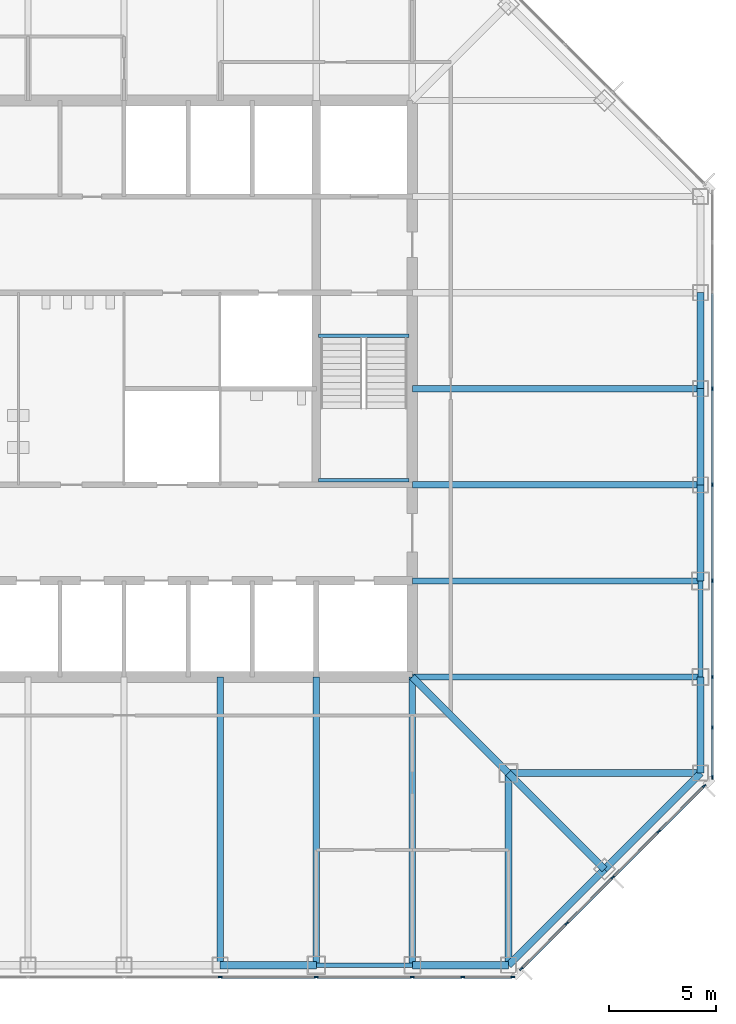
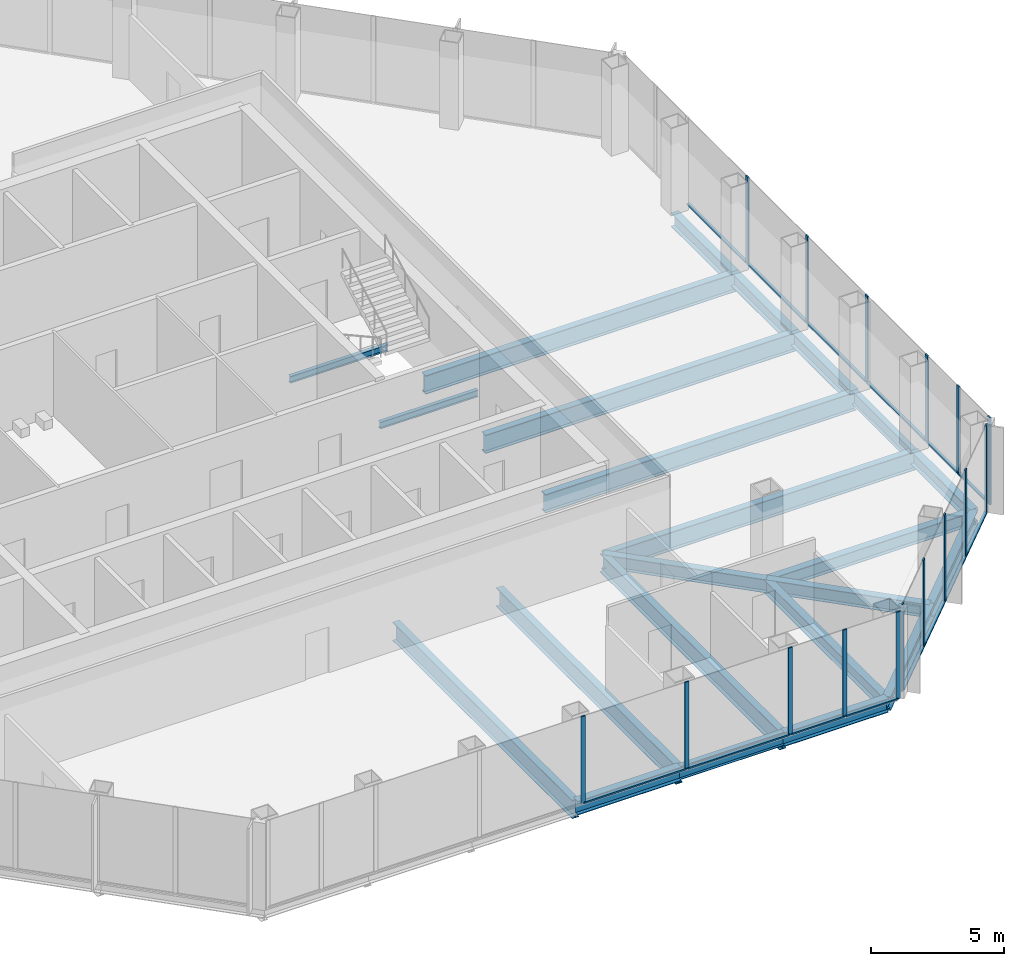
# One storey, part 4 of 12: 30 members, 23 beams, 3 elements without a shape of their own.
"""IFC4 building model written with IfcOpenShell, lengths in metres."""

from ifc_helpers import new_model, si_unit, direction, frame, origin, origin_2d, place, context, subcontext, project, spatial, rectangle, i_section, extrude, material, material_profile, profile_set, type_object, element, aggregate, save


model = new_model("IFC4")

# Units and contexts
model_context = context("Model", 3, precision=1e-05, world=origin(), true_north=direction((0.0, 1.0)))
body_context = subcontext(model_context, "Body", "Model", "MODEL_VIEW")
ifc_project = project(units=[si_unit("LENGTHUNIT", "METRE"), si_unit("AREAUNIT", "SQUARE_METRE"), si_unit("VOLUMEUNIT", "CUBIC_METRE"), si_unit("PLANEANGLEUNIT", "RADIAN"), si_unit("MASSUNIT", "GRAM", prefix="KILO")], contexts=[model_context])

# Site, building, storey
site_placement = place(None, origin())
site = spatial("IfcSite", under=ifc_project, at=site_placement, CompositionType="ELEMENT")
building_placement = place(site_placement, origin())
building = spatial("IfcBuilding", under=site, at=building_placement, Name="Corais Broadcast Tower", CompositionType="ELEMENT")
storey_placement = place(building_placement, frame((0.0, 0.0, 131.60009765625)))
storey = spatial("IfcBuildingStorey", under=building, at=storey_placement, Name="L29", CompositionType="ELEMENT", Elevation=131.60009765625)

# Beams
ifc_material_1 = material(Name="Steel ASTM A572 Grade 50", Category="steel")
ifc_material_profile_1 = material_profile(ifc_material_1, i_section(OverallWidth=0.323974609375, OverallDepth=0.611083984375, WebThickness=0.0126953125, FlangeThickness=0.01904296875, at=origin_2d()), Name="W610x155")
ifc_profile_set_1 = profile_set([ifc_material_profile_1], Name="Steel ASTM A572 Grade 50")
beam_type_1 = type_object("IfcBeamType", Name="Chamfer tie W610x155", PredefinedType="BEAM", material=ifc_profile_set_1)
beam_1_placement = place(storey_placement, frame((49.5, 4.5, -0.465576171875), z_axis=(-0.707106781187, 0.707106781187, 0.0), x_axis=(-0.707106781187, -0.707106781187, 0.0)))
element("IfcBeam", 1, at=beam_1_placement, inside=storey, type_object=beam_type_1, Name="B5 B/14 to C/13", PredefinedType="BEAM", context=body_context, shape_type="SweptSolid", body=[
    extrude(i_section(OverallWidth=0.323974609375, OverallDepth=0.611083984375, WebThickness=0.0126953125, FlangeThickness=0.01904296875, at=origin_2d()), origin(), (0.0, 0.0, 1.0), 6.364013671875),
])
ifc_material_2 = material(Name="Steel ASTM A572 Grade 50", Category="steel")
ifc_material_profile_2 = material_profile(ifc_material_2, i_section(OverallWidth=0.323974609375, OverallDepth=0.611083984375, WebThickness=0.0126953125, FlangeThickness=0.01904296875, at=origin_2d()), Name="W610x155")
ifc_profile_set_2 = profile_set([ifc_material_profile_2], Name="Steel ASTM A572 Grade 50")
beam_type_2 = type_object("IfcBeamType", Name="Corner diagonal W610x155", PredefinedType="BEAM", material=ifc_profile_set_2)
beam_2_placement = place(storey_placement, frame((45.0, 9.0, -0.465576171875), z_axis=(-0.707106781187, 0.707106781187, 0.0), x_axis=(-0.707106781187, -0.707106781187, 0.0)))
element("IfcBeam", 2, at=beam_2_placement, inside=storey, type_object=beam_type_2, Name="B6 C/13 to D/12", PredefinedType="BEAM", context=body_context, shape_type="SweptSolid", body=[
    extrude(i_section(OverallWidth=0.323974609375, OverallDepth=0.611083984375, WebThickness=0.0126953125, FlangeThickness=0.01904296875, at=origin_2d()), origin(), (0.0, 0.0, 1.0), 6.364013671875),
])
ifc_material_3 = material(Name="Steel ASTM A572 Grade 50", Category="steel")
ifc_material_profile_3 = material_profile(ifc_material_3, i_section(OverallWidth=0.323974609375, OverallDepth=0.611083984375, WebThickness=0.0126953125, FlangeThickness=0.01904296875, at=origin_2d()), Name="W610x155")
ifc_profile_set_3 = profile_set([ifc_material_profile_3], Name="Steel ASTM A572 Grade 50")
beam_type_3 = type_object("IfcBeamType", Name="Corner girder W610x155", PredefinedType="BEAM", material=ifc_profile_set_3)
for number, where, z_axis, x_axis, name in (
    (3, (45.0, 0.0, -0.465576171875), (0.0, 1.0, 0.0), (-1.0, 0.0, 0.0), "B4 A/13 to C/13"),
    (4, (54.0, 9.0, -0.465576171875), (-1.0, 0.0, 0.0), (0.0, -1.0, 0.0), "B4 C/15 to C/13"),
):
    element("IfcBeam", number, at=place(storey_placement, frame(where, z_axis=z_axis, x_axis=x_axis)), inside=storey, type_object=beam_type_3, Name=name, PredefinedType="BEAM", context=body_context, shape_type="SweptSolid", body=[
        extrude(i_section(OverallWidth=0.323974609375, OverallDepth=0.611083984375, WebThickness=0.0126953125, FlangeThickness=0.01904296875, at=origin_2d()), origin(), (0.0, 0.0, 1.0), 9.0),
    ])
ifc_material_4 = material(Name="Steel ASTM A572 Grade 50", Category="steel")
ifc_material_profile_4 = material_profile(ifc_material_4, i_section(OverallWidth=0.2939453125, OverallDepth=0.85107421875, WebThickness=0.01611328125, FlangeThickness=0.02685546875, at=origin_2d()), Name="W840x226")
ifc_profile_set_4 = profile_set([ifc_material_profile_4], Name="Steel ASTM A572 Grade 50")
beam_type_4 = type_object("IfcBeamType", Name="Floor beam W840x226", PredefinedType="BEAM", material=ifc_profile_set_4)
for number, where, z_axis, x_axis, name in (
    (5, (31.5, 0.0, -0.585693359375), (0.0, 1.0, 0.0), (-1.0, 0.0, 0.0), "B1 A/10 to D/10"),
    (6, (36.0, 0.0, -0.585693359375), (0.0, 1.0, 0.0), (-1.0, 0.0, 0.0), "B1 A/11 to D/11"),
    (7, (40.5, 0.0, -0.585693359375), (0.0, 1.0, 0.0), (-1.0, 0.0, 0.0), "B1 A/12 to D/12"),
    (8, (54.0, 13.5, -0.585693359375), (-1.0, 0.0, 0.0), (0.0, -1.0, 0.0), "B1 D/15 to D/12"),
    (9, (54.0, 18.0, -0.585693359375), (-1.0, 0.0, 0.0), (0.0, -1.0, 0.0), "B1 E/15 to E/12"),
    (10, (54.0, 22.5, -0.585693359375), (-1.0, 0.0, 0.0), (0.0, -1.0, 0.0), "B1 F/15 to F/12"),
    (11, (54.0, 27.0, -0.585693359375), (-1.0, 0.0, 0.0), (0.0, -1.0, 0.0), "B1 G/15 to G/12"),
):
    element("IfcBeam", number, at=place(storey_placement, frame(where, z_axis=z_axis, x_axis=x_axis)), inside=storey, type_object=beam_type_4, Name=name, PredefinedType="BEAM", context=body_context, shape_type="SweptSolid", body=[
        extrude(i_section(OverallWidth=0.2939453125, OverallDepth=0.85107421875, WebThickness=0.01611328125, FlangeThickness=0.02685546875, at=origin_2d()), origin(), (0.0, 0.0, 1.0), 13.5),
    ])
ifc_material_5 = material(Name="Steel ASTM A572 Grade 50", Category="steel")
ifc_material_profile_5 = material_profile(ifc_material_5, i_section(OverallWidth=0.1650390625, OverallDepth=0.31005859375, WebThickness=0.005859375, FlangeThickness=0.009765625, at=origin_2d()), Name="W310x38.7")
ifc_profile_set_5 = profile_set([ifc_material_profile_5], Name="Steel ASTM A572 Grade 50")
beam_type_5 = type_object("IfcBeamType", Name="Landing trimmer W310x38.7", PredefinedType="BEAM", material=ifc_profile_set_5)
for number, where, z_axis, x_axis, name in (
    (12, (36.10009765625, 29.47509765625, -0.35498046875), (1.0, 0.0, 0.0), (0.0, 1.0, 0.0), "LT1 stair B landing trimmer L29"),
    (13, (36.10009765625, 22.715087890625, 1.64501953125), (1.0, 0.0, 0.0), (0.0, 1.0, 0.0), "LT1 stair B half landing trimmer L29"),
):
    element("IfcBeam", number, at=place(storey_placement, frame(where, z_axis=z_axis, x_axis=x_axis)), inside=storey, type_object=beam_type_5, Name=name, PredefinedType="BEAM", context=body_context, shape_type="SweptSolid", body=[
        extrude(i_section(OverallWidth=0.1650390625, OverallDepth=0.31005859375, WebThickness=0.005859375, FlangeThickness=0.009765625, at=origin_2d()), origin(), (0.0, 0.0, 1.0), 4.25),
    ])

# Curtain wall, members
ifc_material_6 = material(Name="Aluminium and glass", Category="aluminium")
curtain_wall_type = type_object("IfcCurtainWallType", Name="Unitised fritted curtain wall CW2", PredefinedType="NOTDEFINED", material=ifc_material_6)
curtain_wall_1_placement = place(storey_placement, origin())
curtain_wall_1 = element("IfcCurtainWall", 14, at=curtain_wall_1_placement, inside=storey, type_object=curtain_wall_type, Name="CW2 curtain wall L29 6", PredefinedType="NOTDEFINED")
ifc_material_7 = material(Name="Aluminium 6063-T6", Category="aluminium")
ifc_material_profile_6 = material_profile(ifc_material_7, rectangle(XDim=0.06494140625, YDim=0.179931640625, at=origin_2d()), Name="Mullion CW2 65x180")
ifc_profile_set_6 = profile_set([ifc_material_profile_6], Name="Aluminium 6063-T6")
member_type_1 = type_object("IfcMemberType", Name="Mullion CW2 65x180", PredefinedType="MULLION", material=ifc_profile_set_6)
member_1_placement = place(storey_placement, frame((54.550048828125, 27.0, 0.0), z_axis=(0.0, 0.0, 1.0), x_axis=(1.0, 0.0, 0.0)))
member_1 = element("IfcMember", 15, at=member_1_placement, type_object=member_type_1, Name="CW2 mullion 4", PredefinedType="MULLION", context=body_context, shape_type="SweptSolid", body=[
    extrude(rectangle(XDim=0.06494140625, YDim=0.179931640625, at=origin_2d()), origin(), (0.0, 0.0, 1.0), 4.0),
])
member_2_placement = place(storey_placement, frame((54.550048828125, 22.5, 0.0), z_axis=(0.0, 0.0, 1.0), x_axis=(1.0, 0.0, 0.0)))
member_2 = element("IfcMember", 16, at=member_2_placement, type_object=member_type_1, Name="CW2 mullion 5", PredefinedType="MULLION", context=body_context, shape_type="SweptSolid", body=[
    extrude(rectangle(XDim=0.06494140625, YDim=0.179931640625, at=origin_2d()), origin(), (0.0, 0.0, 1.0), 4.0),
])
member_3_placement = place(storey_placement, frame((54.550048828125, 18.0, 0.0), z_axis=(0.0, 0.0, 1.0), x_axis=(1.0, 0.0, 0.0)))
member_3 = element("IfcMember", 17, at=member_3_placement, type_object=member_type_1, Name="CW2 mullion 6", PredefinedType="MULLION", context=body_context, shape_type="SweptSolid", body=[
    extrude(rectangle(XDim=0.06494140625, YDim=0.179931640625, at=origin_2d()), origin(), (0.0, 0.0, 1.0), 4.0),
])
member_4_placement = place(storey_placement, frame((54.550048828125, 13.5, 0.0), z_axis=(0.0, 0.0, 1.0), x_axis=(1.0, 0.0, 0.0)))
member_4 = element("IfcMember", 18, at=member_4_placement, type_object=member_type_1, Name="CW2 mullion 7", PredefinedType="MULLION", context=body_context, shape_type="SweptSolid", body=[
    extrude(rectangle(XDim=0.06494140625, YDim=0.179931640625, at=origin_2d()), origin(), (0.0, 0.0, 1.0), 4.0),
])
member_5_placement = place(storey_placement, frame((54.550048828125, 11.135986328125, 0.0), z_axis=(0.0, 0.0, 1.0), x_axis=(1.0, 0.0, 0.0)))
member_5 = element("IfcMember", 19, at=member_5_placement, type_object=member_type_1, Name="CW2 mullion 8", PredefinedType="MULLION", context=body_context, shape_type="SweptSolid", body=[
    extrude(rectangle(XDim=0.06494140625, YDim=0.179931640625, at=origin_2d()), origin(), (0.0, 0.0, 1.0), 4.0),
])
member_6_placement = place(storey_placement, frame((54.550048828125, 8.8046875, 0.0), z_axis=(0.0, 0.0, 1.0), x_axis=(1.0, 0.0, 0.0)))
member_6 = element("IfcMember", 20, at=member_6_placement, type_object=member_type_1, Name="CW2 mullion 9", PredefinedType="MULLION", context=body_context, shape_type="SweptSolid", body=[
    extrude(rectangle(XDim=0.06494140625, YDim=0.179931640625, at=origin_2d()), origin(), (0.0, 0.0, 1.0), 4.0),
])

curtain_wall_2_placement = place(storey_placement, origin())
curtain_wall_2 = element("IfcCurtainWall", 21, at=curtain_wall_2_placement, inside=storey, type_object=curtain_wall_type, Name="CW2 curtain wall L29 7", PredefinedType="NOTDEFINED")
member_7_placement = place(storey_placement, frame((54.17333984375, 8.3955078125, 0.0), z_axis=(0.0, 0.0, 1.0), x_axis=(0.707106781187, -0.707106781187, 0.0)))
member_7 = element("IfcMember", 22, at=member_7_placement, type_object=member_type_1, Name="CW2 mullion 1", PredefinedType="MULLION", context=body_context, shape_type="SweptSolid", body=[
    extrude(rectangle(XDim=0.06494140625, YDim=0.179931640625, at=origin_2d()), origin(), (0.0, 0.0, 1.0), 4.0),
])
member_8_placement = place(storey_placement, frame((52.042724609375, 6.264892578125, 0.0), z_axis=(0.0, 0.0, 1.0), x_axis=(0.707106781187, -0.707106781187, 0.0)))
member_8 = element("IfcMember", 23, at=member_8_placement, type_object=member_type_1, Name="CW2 mullion 2", PredefinedType="MULLION", context=body_context, shape_type="SweptSolid", body=[
    extrude(rectangle(XDim=0.06494140625, YDim=0.179931640625, at=origin_2d()), origin(), (0.0, 0.0, 1.0), 4.0),
])
member_9_placement = place(storey_placement, frame((49.888916015625, 4.111083984375, 0.0), z_axis=(0.0, 0.0, 1.0), x_axis=(0.707106781187, -0.707106781187, 0.0)))
member_9 = element("IfcMember", 24, at=member_9_placement, type_object=member_type_1, Name="CW2 mullion 3", PredefinedType="MULLION", context=body_context, shape_type="SweptSolid", body=[
    extrude(rectangle(XDim=0.06494140625, YDim=0.179931640625, at=origin_2d()), origin(), (0.0, 0.0, 1.0), 4.0),
])
member_10_placement = place(storey_placement, frame((47.735107421875, 1.957275390625, 0.0), z_axis=(0.0, 0.0, 1.0), x_axis=(0.707106781187, -0.707106781187, 0.0)))
member_10 = element("IfcMember", 25, at=member_10_placement, type_object=member_type_1, Name="CW2 mullion 4", PredefinedType="MULLION", context=body_context, shape_type="SweptSolid", body=[
    extrude(rectangle(XDim=0.06494140625, YDim=0.179931640625, at=origin_2d()), origin(), (0.0, 0.0, 1.0), 4.0),
])
member_11_placement = place(storey_placement, frame((45.6044921875, -0.17333984375, 0.0), z_axis=(0.0, 0.0, 1.0), x_axis=(0.707106781187, -0.707106781187, 0.0)))
member_11 = element("IfcMember", 26, at=member_11_placement, type_object=member_type_1, Name="CW2 mullion 5", PredefinedType="MULLION", context=body_context, shape_type="SweptSolid", body=[
    extrude(rectangle(XDim=0.06494140625, YDim=0.179931640625, at=origin_2d()), origin(), (0.0, 0.0, 1.0), 4.0),
])

curtain_wall_3_placement = place(storey_placement, origin())
curtain_wall_3 = element("IfcCurtainWall", 27, at=curtain_wall_3_placement, inside=storey, type_object=curtain_wall_type, Name="CW2 curtain wall L29 8", PredefinedType="NOTDEFINED")
member_12_placement = place(storey_placement, frame((45.1953125, -0.550048828125, 0.0), z_axis=(0.0, 0.0, 1.0), x_axis=(0.0, -1.0, 0.0)))
member_12 = element("IfcMember", 28, at=member_12_placement, type_object=member_type_1, Name="CW2 mullion 1", PredefinedType="MULLION", context=body_context, shape_type="SweptSolid", body=[
    extrude(rectangle(XDim=0.06494140625, YDim=0.179931640625, at=origin_2d()), origin(), (0.0, 0.0, 1.0), 4.0),
])
member_13_placement = place(storey_placement, frame((42.864013671875, -0.550048828125, 0.0), z_axis=(0.0, 0.0, 1.0), x_axis=(0.0, -1.0, 0.0)))
member_13 = element("IfcMember", 29, at=member_13_placement, type_object=member_type_1, Name="CW2 mullion 2", PredefinedType="MULLION", context=body_context, shape_type="SweptSolid", body=[
    extrude(rectangle(XDim=0.06494140625, YDim=0.179931640625, at=origin_2d()), origin(), (0.0, 0.0, 1.0), 4.0),
])
member_14_placement = place(storey_placement, frame((40.5, -0.550048828125, 0.0), z_axis=(0.0, 0.0, 1.0), x_axis=(0.0, -1.0, 0.0)))
member_14 = element("IfcMember", 30, at=member_14_placement, type_object=member_type_1, Name="CW2 mullion 3", PredefinedType="MULLION", context=body_context, shape_type="SweptSolid", body=[
    extrude(rectangle(XDim=0.06494140625, YDim=0.179931640625, at=origin_2d()), origin(), (0.0, 0.0, 1.0), 4.0),
])
member_15_placement = place(storey_placement, frame((36.0, -0.550048828125, 0.0), z_axis=(0.0, 0.0, 1.0), x_axis=(0.0, -1.0, 0.0)))
member_15 = element("IfcMember", 31, at=member_15_placement, type_object=member_type_1, Name="CW2 mullion 4", PredefinedType="MULLION", context=body_context, shape_type="SweptSolid", body=[
    extrude(rectangle(XDim=0.06494140625, YDim=0.179931640625, at=origin_2d()), origin(), (0.0, 0.0, 1.0), 4.0),
])
member_16_placement = place(storey_placement, frame((31.5, -0.550048828125, 0.0), z_axis=(0.0, 0.0, 1.0), x_axis=(0.0, -1.0, 0.0)))
member_16 = element("IfcMember", 32, at=member_16_placement, type_object=member_type_1, Name="CW2 mullion 5", PredefinedType="MULLION", context=body_context, shape_type="SweptSolid", body=[
    extrude(rectangle(XDim=0.06494140625, YDim=0.179931640625, at=origin_2d()), origin(), (0.0, 0.0, 1.0), 4.0),
])

# Beams
ifc_material_8 = material(Name="Steel ASTM A572 Grade 50", Category="steel")
ifc_material_profile_7 = material_profile(ifc_material_8, i_section(OverallWidth=0.22900390625, OverallDepth=0.612060546875, WebThickness=0.011962890625, FlangeThickness=0.01953125, at=origin_2d()), Name="W610x125")
ifc_profile_set_7 = profile_set([ifc_material_profile_7], Name="Steel ASTM A572 Grade 50")
beam_type_6 = type_object("IfcBeamType", Name="Pinned spandrel W610x125", PredefinedType="BEAM", material=ifc_profile_set_7)
for number, where, z_axis, x_axis, name in (
    (33, (36.0, 0.0, -0.466064453125), (1.0, 0.0, 0.0), (0.0, 1.0, 0.0), "SB7 A/11 to A/12"),
    (34, (54.0, 13.5, -0.466064453125), (0.0, 1.0, 0.0), (-1.0, 0.0, 0.0), "SB7 D/15 to E/15"),
):
    element("IfcBeam", number, at=place(storey_placement, frame(where, z_axis=z_axis, x_axis=x_axis)), inside=storey, type_object=beam_type_6, Name=name, PredefinedType="BEAM", context=body_context, shape_type="SweptSolid", body=[
        extrude(i_section(OverallWidth=0.22900390625, OverallDepth=0.612060546875, WebThickness=0.011962890625, FlangeThickness=0.01953125, at=origin_2d()), origin(), (0.0, 0.0, 1.0), 4.5),
    ])
ifc_material_9 = material(Name="Steel ASTM A572 Grade 50", Category="steel")
ifc_material_profile_8 = material_profile(ifc_material_9, i_section(OverallWidth=0.3291015625, OverallDepth=0.635009765625, WebThickness=0.017822265625, FlangeThickness=0.031005859375, at=origin_2d()), Name="W610x241")
ifc_profile_set_8 = profile_set([ifc_material_profile_8], Name="Steel ASTM A572 Grade 50")
beam_type_7 = type_object("IfcBeamType", Name="Spandrel W610x241", PredefinedType="BEAM", material=ifc_profile_set_8)
for number, where, z_axis, x_axis, name in (
    (35, (31.5, 0.0, -0.4775390625), (1.0, 0.0, 0.0), (0.0, 1.0, 0.0), "SB1 A/10 to A/11"),
    (36, (40.5, 0.0, -0.4775390625), (1.0, 0.0, 0.0), (0.0, 1.0, 0.0), "SB1 A/12 to A/13"),
):
    element("IfcBeam", number, at=place(storey_placement, frame(where, z_axis=z_axis, x_axis=x_axis)), inside=storey, type_object=beam_type_7, Name=name, PredefinedType="BEAM", context=body_context, shape_type="SweptSolid", body=[
        extrude(i_section(OverallWidth=0.3291015625, OverallDepth=0.635009765625, WebThickness=0.017822265625, FlangeThickness=0.031005859375, at=origin_2d()), origin(), (0.0, 0.0, 1.0), 4.5),
    ])
for number, where, z_axis, x_axis, name in (
    (37, (45.0, 0.0, -0.4775390625), (0.707106781187, 0.707106781187, 0.0), (-0.707106781187, 0.707106781187, 0.0), "SB1 A/13 to B/14"),
    (38, (49.5, 4.5, -0.4775390625), (0.707106781187, 0.707106781187, 0.0), (-0.707106781187, 0.707106781187, 0.0), "SB1 B/14 to C/15"),
):
    element("IfcBeam", number, at=place(storey_placement, frame(where, z_axis=z_axis, x_axis=x_axis)), inside=storey, type_object=beam_type_7, Name=name, PredefinedType="BEAM", context=body_context, shape_type="SweptSolid", body=[
        extrude(i_section(OverallWidth=0.3291015625, OverallDepth=0.635009765625, WebThickness=0.017822265625, FlangeThickness=0.031005859375, at=origin_2d()), origin(), (0.0, 0.0, 1.0), 6.364013671875),
    ])
for number, where, z_axis, x_axis, name in (
    (39, (54.0, 18.0, -0.4775390625), (0.0, 1.0, 0.0), (-1.0, 0.0, 0.0), "SB1 E/15 to F/15"),
    (40, (54.0, 22.5, -0.4775390625), (0.0, 1.0, 0.0), (-1.0, 0.0, 0.0), "SB1 F/15 to G/15"),
    (41, (54.0, 27.0, -0.4775390625), (0.0, 1.0, 0.0), (-1.0, 0.0, 0.0), "SB1 G/15 to H/15"),
    (42, (54.0, 9.0, -0.4775390625), (0.0, 1.0, 0.0), (-1.0, 0.0, 0.0), "SB1 C/15 to D/15"),
):
    element("IfcBeam", number, at=place(storey_placement, frame(where, z_axis=z_axis, x_axis=x_axis)), inside=storey, type_object=beam_type_7, Name=name, PredefinedType="BEAM", context=body_context, shape_type="SweptSolid", body=[
        extrude(i_section(OverallWidth=0.3291015625, OverallDepth=0.635009765625, WebThickness=0.017822265625, FlangeThickness=0.031005859375, at=origin_2d()), origin(), (0.0, 0.0, 1.0), 4.5),
    ])

# Member
ifc_material_10 = material(Name="Aluminium 6063-T6", Category="aluminium")
ifc_material_profile_9 = material_profile(ifc_material_10, rectangle(XDim=0.1298828125, YDim=0.06494140625, at=origin_2d()), Name="Transom CW2 65x130")
ifc_profile_set_9 = profile_set([ifc_material_profile_9], Name="Aluminium 6063-T6")
member_type_2 = type_object("IfcMemberType", Name="Transom CW2 65x130", PredefinedType="USERDEFINED", material=ifc_profile_set_9)
member_17_placement = place(storey_placement, frame((54.550048828125, 31.467529296875, 0.032470703125), z_axis=(0.0, -1.0, 0.0), x_axis=(1.0, 0.0, 0.0)))
member_17 = element("IfcMember", 43, at=member_17_placement, type_object=member_type_2, Name="CW2 transom 3.1", ObjectType="TRANSOM", PredefinedType="USERDEFINED", context=body_context, shape_type="SweptSolid", body=[
    extrude(rectangle(XDim=0.1298828125, YDim=0.06494140625, at=origin_2d()), origin(), (0.0, 0.0, 1.0), 4.43505859375),
])

member_18_placement = place(storey_placement, frame((54.550048828125, 26.967529296875, 0.032470703125), z_axis=(0.0, -1.0, 0.0), x_axis=(1.0, 0.0, 0.0)))
member_18 = element("IfcMember", 44, at=member_18_placement, type_object=member_type_2, Name="CW2 transom 4.1", ObjectType="TRANSOM", PredefinedType="USERDEFINED", context=body_context, shape_type="SweptSolid", body=[
    extrude(rectangle(XDim=0.1298828125, YDim=0.06494140625, at=origin_2d()), origin(), (0.0, 0.0, 1.0), 4.43505859375),
])

member_19_placement = place(storey_placement, frame((54.550048828125, 22.467529296875, 0.032470703125), z_axis=(0.0, -1.0, 0.0), x_axis=(1.0, 0.0, 0.0)))
member_19 = element("IfcMember", 45, at=member_19_placement, type_object=member_type_2, Name="CW2 transom 5.1", ObjectType="TRANSOM", PredefinedType="USERDEFINED", context=body_context, shape_type="SweptSolid", body=[
    extrude(rectangle(XDim=0.1298828125, YDim=0.06494140625, at=origin_2d()), origin(), (0.0, 0.0, 1.0), 4.43505859375),
])

member_20_placement = place(storey_placement, frame((54.550048828125, 17.967529296875, 0.032470703125), z_axis=(0.0, -1.0, 0.0), x_axis=(1.0, 0.0, 0.0)))
member_20 = element("IfcMember", 46, at=member_20_placement, type_object=member_type_2, Name="CW2 transom 6.1", ObjectType="TRANSOM", PredefinedType="USERDEFINED", context=body_context, shape_type="SweptSolid", body=[
    extrude(rectangle(XDim=0.1298828125, YDim=0.06494140625, at=origin_2d()), origin(), (0.0, 0.0, 1.0), 4.43505859375),
])

member_21_placement = place(storey_placement, frame((54.550048828125, 13.467529296875, 0.032470703125), z_axis=(0.0, -1.0, 0.0), x_axis=(1.0, 0.0, 0.0)))
member_21 = element("IfcMember", 47, at=member_21_placement, type_object=member_type_2, Name="CW2 transom 7.1", ObjectType="TRANSOM", PredefinedType="USERDEFINED", context=body_context, shape_type="SweptSolid", body=[
    extrude(rectangle(XDim=0.1298828125, YDim=0.06494140625, at=origin_2d()), origin(), (0.0, 0.0, 1.0), 2.298828125),
])

member_22_placement = place(storey_placement, frame((54.550048828125, 11.103515625, 0.032470703125), z_axis=(0.0, -1.0, 0.0), x_axis=(1.0, 0.0, 0.0)))
member_22 = element("IfcMember", 48, at=member_22_placement, type_object=member_type_2, Name="CW2 transom 8.1", ObjectType="TRANSOM", PredefinedType="USERDEFINED", context=body_context, shape_type="SweptSolid", body=[
    extrude(rectangle(XDim=0.1298828125, YDim=0.06494140625, at=origin_2d()), origin(), (0.0, 0.0, 1.0), 2.266357421875),
])

aggregate(curtain_wall_1, [member_1, member_2, member_3, member_4, member_5, member_6, member_17, member_18, member_19, member_20, member_21, member_22])

member_23_placement = place(storey_placement, frame((54.150390625, 8.37255859375, 0.032470703125), z_axis=(-0.707106781187, -0.707106781187, 0.0), x_axis=(0.707106781187, -0.707106781187, 0.0)))
member_23 = element("IfcMember", 49, at=member_23_placement, type_object=member_type_2, Name="CW2 transom 1.1", ObjectType="TRANSOM", PredefinedType="USERDEFINED", context=body_context, shape_type="SweptSolid", body=[
    extrude(rectangle(XDim=0.1298828125, YDim=0.06494140625, at=origin_2d()), origin(), (0.0, 0.0, 1.0), 2.9482421875),
])

member_24_placement = place(storey_placement, frame((52.019775390625, 6.241943359375, 0.032470703125), z_axis=(-0.707106781187, -0.707106781187, 0.0), x_axis=(0.707106781187, -0.707106781187, 0.0)))
member_24 = element("IfcMember", 50, at=member_24_placement, type_object=member_type_2, Name="CW2 transom 2.1", ObjectType="TRANSOM", PredefinedType="USERDEFINED", context=body_context, shape_type="SweptSolid", body=[
    extrude(rectangle(XDim=0.1298828125, YDim=0.06494140625, at=origin_2d()), origin(), (0.0, 0.0, 1.0), 2.98095703125),
])

member_25_placement = place(storey_placement, frame((49.865966796875, 4.088134765625, 0.032470703125), z_axis=(-0.707106781187, -0.707106781187, 0.0), x_axis=(0.707106781187, -0.707106781187, 0.0)))
member_25 = element("IfcMember", 51, at=member_25_placement, type_object=member_type_2, Name="CW2 transom 3.1", ObjectType="TRANSOM", PredefinedType="USERDEFINED", context=body_context, shape_type="SweptSolid", body=[
    extrude(rectangle(XDim=0.1298828125, YDim=0.06494140625, at=origin_2d()), origin(), (0.0, 0.0, 1.0), 2.98095703125),
])

member_26_placement = place(storey_placement, frame((47.712158203125, 1.934326171875, 0.032470703125), z_axis=(-0.707106781187, -0.707106781187, 0.0), x_axis=(0.707106781187, -0.707106781187, 0.0)))
member_26 = element("IfcMember", 52, at=member_26_placement, type_object=member_type_2, Name="CW2 transom 4.1", ObjectType="TRANSOM", PredefinedType="USERDEFINED", context=body_context, shape_type="SweptSolid", body=[
    extrude(rectangle(XDim=0.1298828125, YDim=0.06494140625, at=origin_2d()), origin(), (0.0, 0.0, 1.0), 2.9482421875),
])

aggregate(curtain_wall_2, [member_7, member_8, member_9, member_10, member_11, member_23, member_24, member_25, member_26])

member_27_placement = place(storey_placement, frame((45.162841796875, -0.550048828125, 0.032470703125), z_axis=(-1.0, 0.0, 0.0), x_axis=(0.0, -1.0, 0.0)))
member_27 = element("IfcMember", 53, at=member_27_placement, type_object=member_type_2, Name="CW2 transom 1.1", ObjectType="TRANSOM", PredefinedType="USERDEFINED", context=body_context, shape_type="SweptSolid", body=[
    extrude(rectangle(XDim=0.1298828125, YDim=0.06494140625, at=origin_2d()), origin(), (0.0, 0.0, 1.0), 2.266357421875),
])

member_28_placement = place(storey_placement, frame((42.831298828125, -0.550048828125, 0.032470703125), z_axis=(-1.0, 0.0, 0.0), x_axis=(0.0, -1.0, 0.0)))
member_28 = element("IfcMember", 54, at=member_28_placement, type_object=member_type_2, Name="CW2 transom 2.1", ObjectType="TRANSOM", PredefinedType="USERDEFINED", context=body_context, shape_type="SweptSolid", body=[
    extrude(rectangle(XDim=0.1298828125, YDim=0.06494140625, at=origin_2d()), origin(), (0.0, 0.0, 1.0), 2.298828125),
])

member_29_placement = place(storey_placement, frame((40.467529296875, -0.550048828125, 0.032470703125), z_axis=(-1.0, 0.0, 0.0), x_axis=(0.0, -1.0, 0.0)))
member_29 = element("IfcMember", 55, at=member_29_placement, type_object=member_type_2, Name="CW2 transom 3.1", ObjectType="TRANSOM", PredefinedType="USERDEFINED", context=body_context, shape_type="SweptSolid", body=[
    extrude(rectangle(XDim=0.1298828125, YDim=0.06494140625, at=origin_2d()), origin(), (0.0, 0.0, 1.0), 4.43505859375),
])

member_30_placement = place(storey_placement, frame((35.967529296875, -0.550048828125, 0.032470703125), z_axis=(-1.0, 0.0, 0.0), x_axis=(0.0, -1.0, 0.0)))
member_30 = element("IfcMember", 56, at=member_30_placement, type_object=member_type_2, Name="CW2 transom 4.1", ObjectType="TRANSOM", PredefinedType="USERDEFINED", context=body_context, shape_type="SweptSolid", body=[
    extrude(rectangle(XDim=0.1298828125, YDim=0.06494140625, at=origin_2d()), origin(), (0.0, 0.0, 1.0), 4.43505859375),
])

aggregate(curtain_wall_3, [member_12, member_13, member_14, member_15, member_16, member_27, member_28, member_29, member_30])

save(model, "model.ifc")
